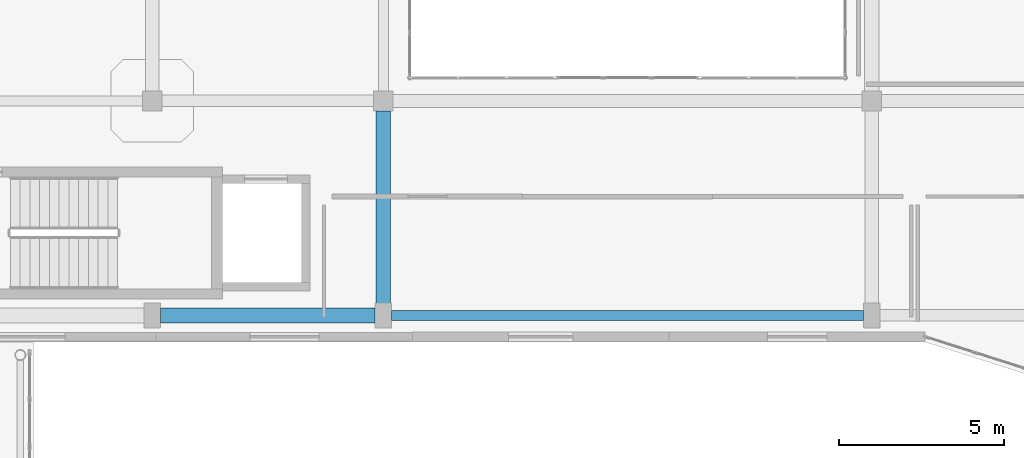
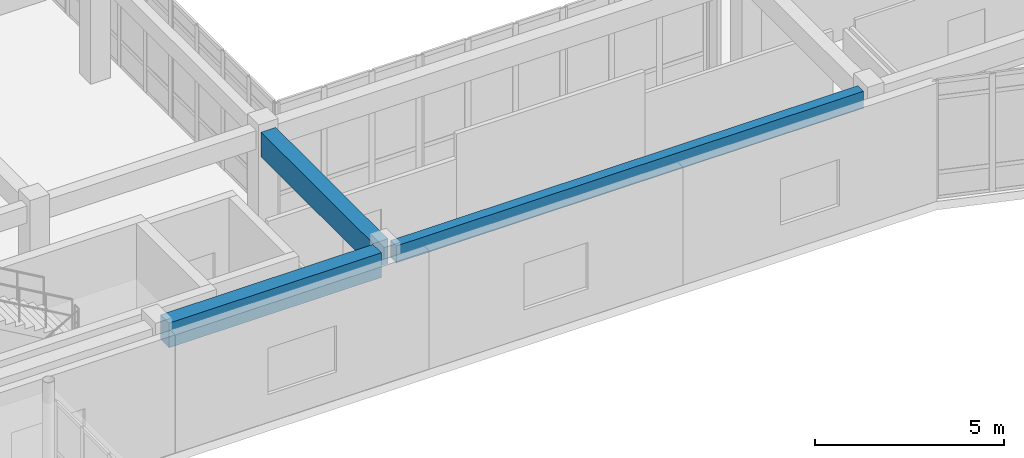
# One storey, part 78 of 146: 3 beams.
"""IFC4 building model written with IfcOpenShell, lengths in metres."""

import ifcopenshell
import ifcopenshell.guid

model = None  # the IFC model being written
_history = None  # IfcOwnerHistory: only IFC2X3 demands one
_inside = {}  # id of a spatial element -> (the spatial element, [elements in it])
_under = {}  # id of a project, library or spatial element -> (it, [spatial elements below it])
_declared = {}  # id of a project -> (the project, [libraries it declares])
_typed = {}  # id of a type object -> (the type object, [elements of that type])
_made_of = {}  # id of a material, layer set ... -> (it, [elements and type objects made of it])


def new_model(schema):
    """Start an empty IFC model of exactly this schema.

    Asked for "IFC4X3", IfcOpenShell would pick the latest addendum, in which some entities
    have other attributes; the version numbers below select the first issue.
    IFC2X3 requires an IfcOwnerHistory on every rooted entity: one is made here for all.
    """
    global model, _history
    if schema == "IFC4X3":
        model = ifcopenshell.file(schema_version=(4, 3, 0, 0))
    else:
        model = ifcopenshell.file(schema=schema)
    _inside.clear()
    _under.clear()
    _declared.clear()
    _typed.clear()
    _made_of.clear()
    _history = None
    if model.schema == "IFC2X3":
        org = make("IfcOrganization", Name="unknown")
        user = make(
            "IfcPersonAndOrganization",
            ThePerson=make("IfcPerson", FamilyName="unknown"),
            TheOrganization=org,
        )
        app = make(
            "IfcApplication",
            ApplicationDeveloper=org,
            Version="unknown",
            ApplicationFullName="unknown",
            ApplicationIdentifier="unknown",
        )
        _history = make(
            "IfcOwnerHistory",
            OwningUser=user,
            OwningApplication=app,
            ChangeAction="ADDED",
            CreationDate=0,
        )
    return model


def make(cls, **values):
    """One entity of the class cls with the attributes given. An attribute that is None is left unset."""
    return model.create_entity(
        cls, **{name: value for name, value in values.items() if value is not None}
    )


def rooted(cls, **values):
    """An entity with a GlobalId (a new one), such as an element, a storey or a relation."""
    return make(cls, GlobalId=ifcopenshell.guid.new(), OwnerHistory=_history, **values)


def si_unit(unit_type, name, prefix=None):
    """IfcSIUnit, for example si_unit("LENGTHUNIT", "METRE", prefix="MILLI")."""
    return make("IfcSIUnit", UnitType=unit_type, Prefix=prefix, Name=name)


def assignment(units):
    """IfcUnitAssignment: the units of a project."""
    return None if units is None else make("IfcUnitAssignment", Units=units)


def point(xyz):
    """IfcCartesianPoint."""
    return None if xyz is None else make("IfcCartesianPoint", Coordinates=xyz)


def direction(xyz):
    """IfcDirection."""
    return None if xyz is None else make("IfcDirection", DirectionRatios=xyz)


def frame(location, z_axis=None, x_axis=None):
    """IfcAxis2Placement3D, a coordinate frame: its origin and axes. An axis left out is left unset."""
    return make(
        "IfcAxis2Placement3D",
        Location=point(location),
        Axis=direction(z_axis),
        RefDirection=direction(x_axis),
    )


def frame_2d(location, x_axis=None):
    """IfcAxis2Placement2D, a coordinate frame in the plane: its origin and x axis."""
    return make(
        "IfcAxis2Placement2D", Location=point(location), RefDirection=direction(x_axis)
    )


def origin():
    """The frame at (0, 0, 0) with its axes left unset."""
    return frame((0.0, 0.0, 0.0))


def origin_2d():
    """The frame at (0, 0) in the plane with its x axis left unset."""
    return frame_2d((0.0, 0.0))


def place(relative_to, where):
    """IfcLocalPlacement: puts the frame where relative to a parent placement (None: the world)."""
    return make(
        "IfcLocalPlacement", PlacementRelTo=relative_to, RelativePlacement=where
    )


def context(
    kind, dimensions, precision=None, world=None, true_north=None, identifier=None
):
    """IfcGeometricRepresentationContext, for example the 3D "Model" context."""
    return make(
        "IfcGeometricRepresentationContext",
        ContextIdentifier=identifier,
        ContextType=kind,
        CoordinateSpaceDimension=dimensions,
        Precision=precision,
        WorldCoordinateSystem=world,
        TrueNorth=true_north,
    )


def subcontext(parent, identifier, kind, view, scale=None):
    """IfcGeometricRepresentationSubContext, for example "Body" below "Model"."""
    return make(
        "IfcGeometricRepresentationSubContext",
        ContextIdentifier=identifier,
        ContextType=kind,
        ParentContext=parent,
        TargetScale=scale,
        TargetView=view,
    )


def project(units=None, contexts=None):
    """IfcProject with its units and contexts."""
    return rooted(
        "IfcProject",
        Name="project",
        RepresentationContexts=contexts,
        UnitsInContext=assignment(units),
    )


def spatial(cls, under=None, at=None, **own):
    """A site, building, storey or space (cls), placed at a placement, below another one or the project."""
    s = rooted(cls, ObjectPlacement=at, **own)
    if under is not None:
        _under.setdefault(under.id(), (under, []))[1].append(s)
    return s


def profile(cls, at=None, kind="AREA", **sizes):
    """A parametric profile (cls). Its sizes go by their IFC names, for example OverallWidth=200.0."""
    return make(cls, ProfileType=kind, Position=at, **sizes)


def rectangle(**sizes):
    """IfcRectangleProfileDef."""
    return profile("IfcRectangleProfileDef", **sizes)


def extrude(swept, where, along, depth):
    """IfcExtrudedAreaSolid: the profile swept, set in the frame where, extruded along a direction by depth."""
    return make(
        "IfcExtrudedAreaSolid",
        SweptArea=swept,
        Position=where,
        ExtrudedDirection=direction(along),
        Depth=depth,
    )


def shape(context_of_items, identifier, shape_type, items):
    """IfcShapeRepresentation: the items that make up one representation, for example the "Body"."""
    return make(
        "IfcShapeRepresentation",
        ContextOfItems=context_of_items,
        RepresentationIdentifier=identifier,
        RepresentationType=shape_type,
        Items=items,
    )


def material(Name=None, Category=None):
    """IfcMaterial."""
    return make("IfcMaterial", Name=Name, Category=Category)


def material_profile(
    of_material, cross_section, Name=None, Category=None, Priority=None
):
    """IfcMaterialProfile: a cross section and its material."""
    return make(
        "IfcMaterialProfile",
        Name=Name,
        Material=of_material,
        Profile=cross_section,
        Priority=Priority,
        Category=Category,
    )


def profile_set(profiles, Name=None, composite=None):
    """IfcMaterialProfileSet."""
    return make(
        "IfcMaterialProfileSet",
        Name=Name,
        MaterialProfiles=profiles,
        CompositeProfile=composite,
    )


def made_of(thing, what):
    """Note that an element or type object is made of a material, layer set ...; save() writes the relation."""
    if what is not None:
        _made_of.setdefault(what.id(), (what, []))[1].append(thing)
    return thing


def type_object(cls, material=None, **own):
    """A type object (cls), such as IfcWallType, which elements share."""
    return made_of(rooted(cls, **own), material)


def element(
    cls,
    number,
    at=None,
    inside=None,
    cuts=None,
    type_object=None,
    material=None,
    context=None,
    identifier="Body",
    shape_type=None,
    held_by="IfcProductDefinitionShape",
    body=None,
    shapes=None,
    **own,
):
    """One element of the class cls, such as IfcWall. Its Tag is "e" and its number.

    at: its placement. inside: the storey or other place that contains it. cuts: it is an
    opening in that element (IfcRelVoidsElement). A single representation is given by context,
    identifier, shape_type and body (its items); several are given by shapes. held_by: the class
    of the entity that holds the representations. save() writes the other relations.
    """
    e = rooted(cls, Tag="e%d" % number, ObjectPlacement=at, **own)
    if body is not None:
        shapes = [shape(context, identifier, shape_type, body)]
    if shapes is not None:
        e.Representation = make(held_by, Representations=shapes)
    if inside is not None:
        _inside.setdefault(inside.id(), (inside, []))[1].append(e)
    if cuts is not None:
        rooted(
            "IfcRelVoidsElement", RelatingBuildingElement=cuts, RelatedOpeningElement=e
        )
    if type_object is not None:
        _typed.setdefault(type_object.id(), (type_object, []))[1].append(e)
    return made_of(e, material)


def aggregate(whole, parts):
    """IfcRelAggregates: a whole, such as a stair, and the parts it consists of."""
    return rooted("IfcRelAggregates", RelatingObject=whole, RelatedObjects=parts)


def save(model, path):
    """Write the relations noted so far, then the file.

    IfcRelAggregates (storeys below a building ...), IfcRelContainedInSpatialStructure (elements
    in a storey), IfcRelDefinesByType, IfcRelAssociatesMaterial and IfcRelDeclares: one each for
    every whole, place, type object, material and project.
    """
    for whole, parts in _under.values():
        aggregate(whole, parts)
    for where, things in _inside.values():
        rooted(
            "IfcRelContainedInSpatialStructure",
            RelatedElements=things,
            RelatingStructure=where,
        )
    for kind, things in _typed.values():
        rooted("IfcRelDefinesByType", RelatedObjects=things, RelatingType=kind)
    for what, things in _made_of.values():
        rooted("IfcRelAssociatesMaterial", RelatedObjects=things, RelatingMaterial=what)
    for by, libraries in _declared.values():
        rooted("IfcRelDeclares", RelatingContext=by, RelatedDefinitions=libraries)
    model.write(path)


model = new_model("IFC4")

# Units and contexts
model_context = context("Model", 3, precision=1e-05, world=origin(), true_north=direction((0.0, 1.0)))
body_context = subcontext(model_context, "Body", "Model", "MODEL_VIEW")
ifc_project = project(units=[si_unit("LENGTHUNIT", "METRE"), si_unit("AREAUNIT", "SQUARE_METRE"), si_unit("VOLUMEUNIT", "CUBIC_METRE"), si_unit("PLANEANGLEUNIT", "RADIAN"), si_unit("MASSUNIT", "GRAM", prefix="KILO")], contexts=[model_context])

# Site, building, storey
site_placement = place(None, origin())
site = spatial("IfcSite", under=ifc_project, at=site_placement, CompositionType="ELEMENT")
building_placement = place(site_placement, origin())
building = spatial("IfcBuilding", under=site, at=building_placement, Name="Valcora Specialist Clinic", CompositionType="ELEMENT")
storey_placement = place(building_placement, frame((0.0, 0.0, 9.52001953125)))
storey = spatial("IfcBuildingStorey", under=building, at=storey_placement, Name="L02", CompositionType="ELEMENT", Elevation=9.52001953125)

# Beams
ifc_material = material(Name="Concrete C40/50", Category="concrete")
ifc_material_profile_1 = material_profile(ifc_material, rectangle(XDim=0.300048828125, YDim=0.550048828125, at=origin_2d()), Name="RC-BM-300X550")
ifc_profile_set_1 = profile_set([ifc_material_profile_1], Name="Concrete C40/50")
beam_type_1 = type_object("IfcBeamType", Name="TY-BM-RC300X550", PredefinedType="BEAM", material=ifc_profile_set_1)
beam_1_placement = place(storey_placement, frame((76.25, 74.800048828125, 3.544921875), z_axis=(1.0, 0.0, 0.0), x_axis=(0.0, 1.0, 0.0)))
element("IfcBeam", 1, at=beam_1_placement, inside=storey, type_object=beam_type_1, Name="Beam BM-L02-0697", PredefinedType="BEAM", context=body_context, shape_type="SweptSolid", body=[
    extrude(rectangle(XDim=0.300048828125, YDim=0.550048828125, at=origin_2d()), origin(), (0.0, 0.0, 1.0), 14.300048828125),
])
ifc_material_profile_2 = material_profile(ifc_material, rectangle(XDim=0.449951171875, YDim=0.800048828125, at=origin_2d()), Name="RC-BM-450X800")
ifc_profile_set_2 = profile_set([ifc_material_profile_2], Name="Concrete C40/50")
beam_type_2 = type_object("IfcBeamType", Name="TY-BM-RC450X800", PredefinedType="BEAM", material=ifc_profile_set_2)
beam_2_placement = place(storey_placement, frame((69.25, 74.800048828125, 3.419921875), z_axis=(1.0, 0.0, 0.0), x_axis=(0.0, 1.0, 0.0)))
element("IfcBeam", 2, at=beam_2_placement, inside=storey, type_object=beam_type_2, Name="Beam BM-L02-0696", PredefinedType="BEAM", context=body_context, shape_type="SweptSolid", body=[
    extrude(rectangle(XDim=0.449951171875, YDim=0.800048828125, at=origin_2d()), origin(), (0.0, 0.0, 1.0), 6.5),
])
beam_3_placement = place(storey_placement, frame((76.0, 75.050048828125, 3.419921875), z_axis=(0.0, 1.0, 0.0), x_axis=(-1.0, 0.0, 0.0)))
element("IfcBeam", 3, at=beam_3_placement, inside=storey, type_object=beam_type_2, Name="Beam BM-L02-0742", PredefinedType="BEAM", context=body_context, shape_type="SweptSolid", body=[
    extrude(rectangle(XDim=0.449951171875, YDim=0.800048828125, at=origin_2d()), origin(), (0.0, 0.0, 1.0), 5.949951171875),
])

save(model, "model.ifc")
